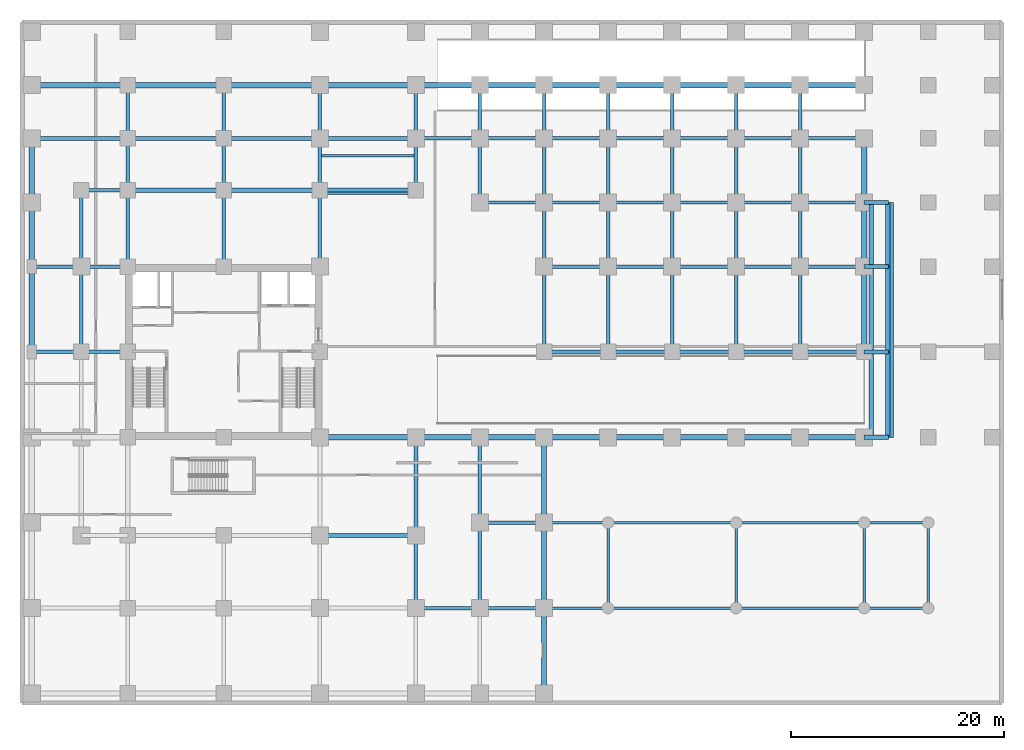
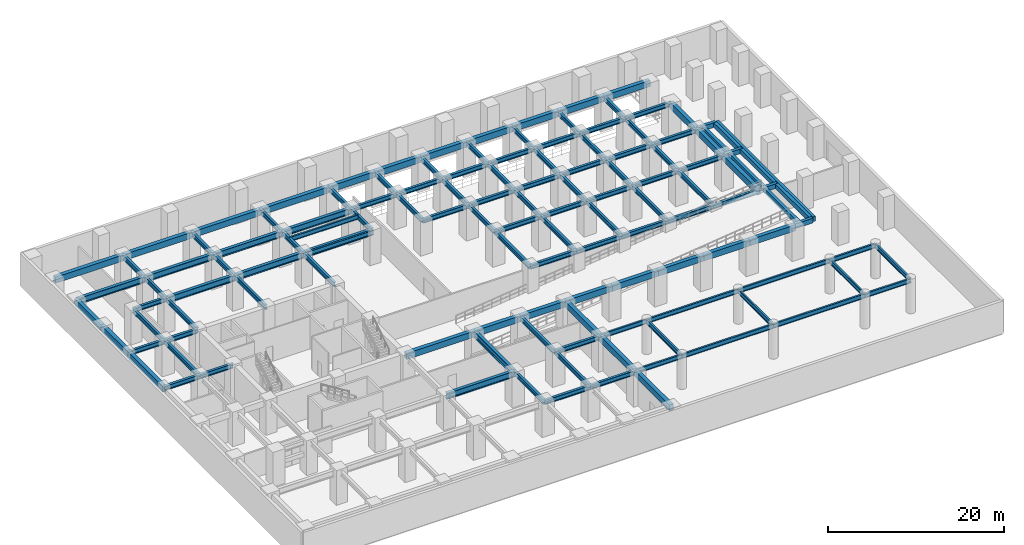
# One storey, part 2 of 9: 131 beams.
"""IFC4 building model written with IfcOpenShell, lengths in metres."""

from ifc_helpers import new_model, si_unit, direction, frame, origin, origin_2d, place, context, subcontext, project, spatial, rectangle, i_section, extrude, source, transform, mapped, material, material_profile, profile_set, type_object, element, save


model = new_model("IFC4")

# Units and contexts
model_context = context("Model", 3, precision=1e-05, world=origin(), true_north=direction((0.0, 1.0)))
body_context = subcontext(model_context, "Body", "Model", "MODEL_VIEW")
ifc_project = project(units=[si_unit("LENGTHUNIT", "METRE"), si_unit("AREAUNIT", "SQUARE_METRE"), si_unit("VOLUMEUNIT", "CUBIC_METRE"), si_unit("PLANEANGLEUNIT", "RADIAN"), si_unit("MASSUNIT", "GRAM", prefix="KILO")], contexts=[model_context])

# Site, building, storey
site_placement = place(None, origin())
site = spatial("IfcSite", under=ifc_project, at=site_placement, CompositionType="ELEMENT")
building_placement = place(site_placement, origin())
building = spatial("IfcBuilding", under=site, at=building_placement, Name="Torre Montelarca", CompositionType="ELEMENT")
storey_placement = place(building_placement, frame((0.0, 0.0, -4.800048828125)))
storey = spatial("IfcBuildingStorey", under=building, at=storey_placement, Name="B1", CompositionType="ELEMENT", Elevation=-4.800048828125)

# Beams
ifc_material_1 = material(Name="Concrete C55/67", Category="concrete")
ifc_material_profile_1 = material_profile(ifc_material_1, rectangle(XDim=0.5, YDim=0.85009765625, at=origin_2d()), Name="RCB500X850", Category="concrete")
ifc_profile_set_1 = profile_set([ifc_material_profile_1], Name="Concrete C55/67")
beam_type_1 = type_object("IfcBeamType", Name="BM-SP-RC850-EXT", PredefinedType="SPANDREL", material=ifc_profile_set_1)
shared_shape_1 = source(origin(), body_context, "Body", "SweptSolid", [
    extrude(rectangle(XDim=0.5, YDim=0.85009765625, at=origin_2d()), origin(), (0.0, 0.0, 1.0), 9.0),
])
for number, where, z_axis, x_axis, name in (
    (1, (27.0, 24.0, 4.094970703125), (1.0, 0.0, 0.0), (0.0, 1.0, 0.0), "B1 Grid Girder X 27.0-36.0 at Y=24.0"),
    (2, (0.0, 57.0, 4.094970703125), (1.0, 0.0, 0.0), (0.0, 1.0, 0.0), "B1 Grid Girder X 0.0-9.0 at Y=57.0"),
    (3, (9.0, 57.0, 4.094970703125), (1.0, 0.0, 0.0), (0.0, 1.0, 0.0), "B1 Grid Girder X 9.0-18.0 at Y=57.0"),
    (4, (18.0, 57.0, 4.094970703125), (1.0, 0.0, 0.0), (0.0, 1.0, 0.0), "B1 Grid Girder X 18.0-27.0 at Y=57.0"),
    (5, (27.0, 57.0, 4.094970703125), (1.0, 0.0, 0.0), (0.0, 1.0, 0.0), "B1 Grid Girder X 27.0-36.0 at Y=57.0"),
):
    element("IfcBeam", number, at=place(storey_placement, frame(where, z_axis=z_axis, x_axis=x_axis)), inside=storey, type_object=beam_type_1, Name=name, PredefinedType="SPANDREL", context=body_context, shape_type="MappedRepresentation", body=[
        mapped(shared_shape_1, transform((0.0, 0.0, 0.0), scale=1.0)),
    ])
shared_shape_2 = source(origin(), body_context, "Body", "SweptSolid", [
    extrude(rectangle(XDim=0.5, YDim=0.85009765625, at=origin_2d()), origin(), (0.0, 0.0, 1.0), 6.0),
])
for number, where, z_axis, x_axis, name in (
    (6, (36.0, 24.0, 4.094970703125), (1.0, 0.0, 0.0), (0.0, 1.0, 0.0), "B1 Grid Girder X 36.0-42.0 at Y=24.0"),
    (7, (42.0, 24.0, 4.094970703125), (1.0, 0.0, 0.0), (0.0, 1.0, 0.0), "B1 Grid Girder X 42.0-48.0 at Y=24.0"),
    (8, (48.0, 24.0, 4.094970703125), (1.0, 0.0, 0.0), (0.0, 1.0, 0.0), "B1 Grid Girder X 48.0-54.0 at Y=24.0"),
    (9, (54.0, 24.0, 4.094970703125), (1.0, 0.0, 0.0), (0.0, 1.0, 0.0), "B1 Grid Girder X 54.0-60.0 at Y=24.0"),
    (10, (60.0, 24.0, 4.094970703125), (1.0, 0.0, 0.0), (0.0, 1.0, 0.0), "B1 Grid Girder X 60.0-66.0 at Y=24.0"),
    (11, (66.0, 24.0, 4.094970703125), (1.0, 0.0, 0.0), (0.0, 1.0, 0.0), "B1 Grid Girder X 66.0-72.0 at Y=24.0"),
    (12, (72.0, 24.0, 4.094970703125), (1.0, 0.0, 0.0), (0.0, 1.0, 0.0), "B1 Grid Girder X 72.0-78.0 at Y=24.0"),
    (13, (36.0, 57.0, 4.094970703125), (1.0, 0.0, 0.0), (0.0, 1.0, 0.0), "B1 Grid Girder X 36.0-42.0 at Y=57.0"),
    (14, (42.0, 57.0, 4.094970703125), (1.0, 0.0, 0.0), (0.0, 1.0, 0.0), "B1 Grid Girder X 42.0-48.0 at Y=57.0"),
    (15, (48.0, 57.0, 4.094970703125), (1.0, 0.0, 0.0), (0.0, 1.0, 0.0), "B1 Grid Girder X 48.0-54.0 at Y=57.0"),
    (16, (54.0, 57.0, 4.094970703125), (1.0, 0.0, 0.0), (0.0, 1.0, 0.0), "B1 Grid Girder X 54.0-60.0 at Y=57.0"),
    (17, (60.0, 57.0, 4.094970703125), (1.0, 0.0, 0.0), (0.0, 1.0, 0.0), "B1 Grid Girder X 60.0-66.0 at Y=57.0"),
    (18, (66.0, 57.0, 4.094970703125), (1.0, 0.0, 0.0), (0.0, 1.0, 0.0), "B1 Grid Girder X 66.0-72.0 at Y=57.0"),
    (19, (72.0, 57.0, 4.094970703125), (1.0, 0.0, 0.0), (0.0, 1.0, 0.0), "B1 Grid Girder X 72.0-78.0 at Y=57.0"),
    (20, (0.0, 40.0, 4.094970703125), (0.0, 1.0, 0.0), (-1.0, 0.0, 0.0), "B1 Grid Girder Y 40.0-46.0 at X=0.0"),
    (21, (0.0, 46.0, 4.094970703125), (0.0, 1.0, 0.0), (-1.0, 0.0, 0.0), "B1 Grid Girder Y 46.0-52.0 at X=0.0"),
    (22, (78.0, 40.0, 4.094970703125), (0.0, 1.0, 0.0), (-1.0, 0.0, 0.0), "B1 Grid Girder Y 40.0-46.0 at X=78.0"),
    (23, (78.0, 46.0, 4.094970703125), (0.0, 1.0, 0.0), (-1.0, 0.0, 0.0), "B1 Grid Girder Y 46.0-52.0 at X=78.0"),
):
    element("IfcBeam", number, at=place(storey_placement, frame(where, z_axis=z_axis, x_axis=x_axis)), inside=storey, type_object=beam_type_1, Name=name, PredefinedType="SPANDREL", context=body_context, shape_type="MappedRepresentation", body=[
        mapped(shared_shape_2, transform((0.0, 0.0, 0.0), scale=1.0)),
    ])
ifc_material_2 = material(Name="Steel ASTM A992 Grade 50", Category="steel")
ifc_material_profile_2 = material_profile(ifc_material_2, i_section(OverallWidth=0.39990234375, OverallDepth=0.85498046875, WebThickness=0.018310546875, FlangeThickness=0.029296875, FilletRadius=0.02001953125, at=origin_2d()), Name="W840X299", Category="steel")
ifc_profile_set_2 = profile_set([ifc_material_profile_2], Name="Steel ASTM A992 Grade 50")
beam_type_2 = type_object("IfcBeamType", Name="BM-G-W840", PredefinedType="BEAM", material=ifc_profile_set_2)
shared_shape_3 = source(origin(), body_context, "Body", "SweptSolid", [
    extrude(i_section(OverallWidth=0.39990234375, OverallDepth=0.85498046875, WebThickness=0.018310546875, FlangeThickness=0.029296875, FilletRadius=0.02001953125, at=origin_2d()), origin(), (0.0, 0.0, 1.0), 9.0),
])
for number, where, z_axis, x_axis, name in (
    (24, (27.0, 14.800048828125, 4.092041015625), (1.0, 0.0, 0.0), (0.0, 1.0, 0.0), "B1 Grid Girder X 27.0-36.0 at Y=14.8"),
    (25, (9.0, 47.14990234375, 4.092041015625), (1.0, 0.0, 0.0), (0.0, 1.0, 0.0), "B1 Grid Girder X 9.0-18.0 at Y=47.1"),
    (26, (18.0, 47.14990234375, 4.092041015625), (1.0, 0.0, 0.0), (0.0, 1.0, 0.0), "B1 Grid Girder X 18.0-27.0 at Y=47.1"),
    (27, (27.0, 47.14990234375, 4.092041015625), (1.0, 0.0, 0.0), (0.0, 1.0, 0.0), "B1 Grid Girder X 27.0-36.0 at Y=47.1"),
    (28, (0.0, 52.0, 4.092041015625), (1.0, 0.0, 0.0), (0.0, 1.0, 0.0), "B1 Grid Girder X 0.0-9.0 at Y=52.0"),
    (29, (9.0, 52.0, 4.092041015625), (1.0, 0.0, 0.0), (0.0, 1.0, 0.0), "B1 Grid Girder X 9.0-18.0 at Y=52.0"),
    (30, (18.0, 52.0, 4.092041015625), (1.0, 0.0, 0.0), (0.0, 1.0, 0.0), "B1 Grid Girder X 18.0-27.0 at Y=52.0"),
    (31, (27.0, 52.0, 4.092041015625), (1.0, 0.0, 0.0), (0.0, 1.0, 0.0), "B1 Grid Girder X 27.0-36.0 at Y=52.0"),
):
    element("IfcBeam", number, at=place(storey_placement, frame(where, z_axis=z_axis, x_axis=x_axis)), inside=storey, type_object=beam_type_2, Name=name, PredefinedType="BEAM", context=body_context, shape_type="MappedRepresentation", body=[
        mapped(shared_shape_3, transform((0.0, 0.0, 0.0), scale=1.0)),
    ])
ifc_material_profile_3 = material_profile(ifc_material_2, i_section(OverallWidth=0.326904296875, OverallDepth=0.6220703125, WebThickness=0.015380859375, FlangeThickness=0.0244140625, FilletRadius=0.014892578125, at=origin_2d()), Name="W610X195", Category="steel")
ifc_profile_set_3 = profile_set([ifc_material_profile_3], Name="Steel ASTM A992 Grade 50")
beam_type_3 = type_object("IfcBeamType", Name="BM-G-W610H", PredefinedType="BEAM", material=ifc_profile_set_3)
shared_shape_4 = source(origin(), body_context, "Body", "SweptSolid", [
    extrude(i_section(OverallWidth=0.326904296875, OverallDepth=0.6220703125, WebThickness=0.015380859375, FlangeThickness=0.0244140625, FilletRadius=0.014892578125, at=origin_2d()), origin(), (0.0, 0.0, 1.0), 6.0),
])
for number, where, z_axis, x_axis, name in (
    (32, (36.0, 8.0, 4.208984375), (1.0, 0.0, 0.0), (0.0, 1.0, 0.0), "B1 Grid Girder X 36.0-42.0 at Y=8.0"),
    (33, (42.0, 8.0, 4.208984375), (1.0, 0.0, 0.0), (0.0, 1.0, 0.0), "B1 Grid Girder X 42.0-48.0 at Y=8.0"),
    (34, (42.0, 16.0, 4.208984375), (1.0, 0.0, 0.0), (0.0, 1.0, 0.0), "B1 Grid Girder X 42.0-48.0 at Y=16.0"),
    (35, (48.0, 32.0, 4.208984375), (1.0, 0.0, 0.0), (0.0, 1.0, 0.0), "B1 Grid Girder X 48.0-54.0 at Y=32.0"),
    (36, (54.0, 32.0, 4.208984375), (1.0, 0.0, 0.0), (0.0, 1.0, 0.0), "B1 Grid Girder X 54.0-60.0 at Y=32.0"),
    (37, (60.0, 32.0, 4.208984375), (1.0, 0.0, 0.0), (0.0, 1.0, 0.0), "B1 Grid Girder X 60.0-66.0 at Y=32.0"),
    (38, (66.0, 32.0, 4.208984375), (1.0, 0.0, 0.0), (0.0, 1.0, 0.0), "B1 Grid Girder X 66.0-72.0 at Y=32.0"),
    (39, (72.0, 32.0, 4.208984375), (1.0, 0.0, 0.0), (0.0, 1.0, 0.0), "B1 Grid Girder X 72.0-78.0 at Y=32.0"),
    (40, (48.0, 40.0, 4.208984375), (1.0, 0.0, 0.0), (0.0, 1.0, 0.0), "B1 Grid Girder X 48.0-54.0 at Y=40.0"),
    (41, (54.0, 40.0, 4.208984375), (1.0, 0.0, 0.0), (0.0, 1.0, 0.0), "B1 Grid Girder X 54.0-60.0 at Y=40.0"),
    (42, (60.0, 40.0, 4.208984375), (1.0, 0.0, 0.0), (0.0, 1.0, 0.0), "B1 Grid Girder X 60.0-66.0 at Y=40.0"),
    (43, (66.0, 40.0, 4.208984375), (1.0, 0.0, 0.0), (0.0, 1.0, 0.0), "B1 Grid Girder X 66.0-72.0 at Y=40.0"),
    (44, (72.0, 40.0, 4.208984375), (1.0, 0.0, 0.0), (0.0, 1.0, 0.0), "B1 Grid Girder X 72.0-78.0 at Y=40.0"),
    (45, (42.0, 46.0, 4.208984375), (1.0, 0.0, 0.0), (0.0, 1.0, 0.0), "B1 Grid Girder X 42.0-48.0 at Y=46.0"),
    (46, (48.0, 46.0, 4.208984375), (1.0, 0.0, 0.0), (0.0, 1.0, 0.0), "B1 Grid Girder X 48.0-54.0 at Y=46.0"),
    (47, (54.0, 46.0, 4.208984375), (1.0, 0.0, 0.0), (0.0, 1.0, 0.0), "B1 Grid Girder X 54.0-60.0 at Y=46.0"),
    (48, (60.0, 46.0, 4.208984375), (1.0, 0.0, 0.0), (0.0, 1.0, 0.0), "B1 Grid Girder X 60.0-66.0 at Y=46.0"),
    (49, (66.0, 46.0, 4.208984375), (1.0, 0.0, 0.0), (0.0, 1.0, 0.0), "B1 Grid Girder X 66.0-72.0 at Y=46.0"),
    (50, (72.0, 46.0, 4.208984375), (1.0, 0.0, 0.0), (0.0, 1.0, 0.0), "B1 Grid Girder X 72.0-78.0 at Y=46.0"),
    (51, (36.0, 52.0, 4.208984375), (1.0, 0.0, 0.0), (0.0, 1.0, 0.0), "B1 Grid Girder X 36.0-42.0 at Y=52.0"),
    (52, (42.0, 52.0, 4.208984375), (1.0, 0.0, 0.0), (0.0, 1.0, 0.0), "B1 Grid Girder X 42.0-48.0 at Y=52.0"),
    (53, (48.0, 52.0, 4.208984375), (1.0, 0.0, 0.0), (0.0, 1.0, 0.0), "B1 Grid Girder X 48.0-54.0 at Y=52.0"),
    (54, (54.0, 52.0, 4.208984375), (1.0, 0.0, 0.0), (0.0, 1.0, 0.0), "B1 Grid Girder X 54.0-60.0 at Y=52.0"),
    (55, (60.0, 52.0, 4.208984375), (1.0, 0.0, 0.0), (0.0, 1.0, 0.0), "B1 Grid Girder X 60.0-66.0 at Y=52.0"),
    (56, (66.0, 52.0, 4.208984375), (1.0, 0.0, 0.0), (0.0, 1.0, 0.0), "B1 Grid Girder X 66.0-72.0 at Y=52.0"),
    (57, (72.0, 52.0, 4.208984375), (1.0, 0.0, 0.0), (0.0, 1.0, 0.0), "B1 Grid Girder X 72.0-78.0 at Y=52.0"),
    (58, (42.0, 46.0, 4.208984375), (0.0, 1.0, 0.0), (-1.0, 0.0, 0.0), "B1 Grid Girder Y 46.0-52.0 at X=42.0"),
    (59, (48.0, 40.0, 4.208984375), (0.0, 1.0, 0.0), (-1.0, 0.0, 0.0), "B1 Grid Girder Y 40.0-46.0 at X=48.0"),
    (60, (48.0, 46.0, 4.208984375), (0.0, 1.0, 0.0), (-1.0, 0.0, 0.0), "B1 Grid Girder Y 46.0-52.0 at X=48.0"),
    (61, (54.0, 40.0, 4.208984375), (0.0, 1.0, 0.0), (-1.0, 0.0, 0.0), "B1 Grid Girder Y 40.0-46.0 at X=54.0"),
    (62, (54.0, 46.0, 4.208984375), (0.0, 1.0, 0.0), (-1.0, 0.0, 0.0), "B1 Grid Girder Y 46.0-52.0 at X=54.0"),
    (63, (60.0, 40.0, 4.208984375), (0.0, 1.0, 0.0), (-1.0, 0.0, 0.0), "B1 Grid Girder Y 40.0-46.0 at X=60.0"),
    (64, (60.0, 46.0, 4.208984375), (0.0, 1.0, 0.0), (-1.0, 0.0, 0.0), "B1 Grid Girder Y 46.0-52.0 at X=60.0"),
    (65, (66.0, 40.0, 4.208984375), (0.0, 1.0, 0.0), (-1.0, 0.0, 0.0), "B1 Grid Girder Y 40.0-46.0 at X=66.0"),
    (66, (66.0, 46.0, 4.208984375), (0.0, 1.0, 0.0), (-1.0, 0.0, 0.0), "B1 Grid Girder Y 46.0-52.0 at X=66.0"),
    (67, (72.0, 40.0, 4.208984375), (0.0, 1.0, 0.0), (-1.0, 0.0, 0.0), "B1 Grid Girder Y 40.0-46.0 at X=72.0"),
    (68, (72.0, 46.0, 4.208984375), (0.0, 1.0, 0.0), (-1.0, 0.0, 0.0), "B1 Grid Girder Y 46.0-52.0 at X=72.0"),
):
    element("IfcBeam", number, at=place(storey_placement, frame(where, z_axis=z_axis, x_axis=x_axis)), inside=storey, type_object=beam_type_3, Name=name, PredefinedType="BEAM", context=body_context, shape_type="MappedRepresentation", body=[
        mapped(shared_shape_4, transform((0.0, 0.0, 0.0), scale=1.0)),
    ])
ifc_material_profile_4 = material_profile(ifc_material_2, i_section(OverallWidth=0.22998046875, OverallDepth=0.616943359375, WebThickness=0.01318359375, FlangeThickness=0.022216796875, FilletRadius=0.014892578125, at=origin_2d()), Name="W610X140", Category="steel")
ifc_profile_set_4 = profile_set([ifc_material_profile_4], Name="Steel ASTM A992 Grade 50")
beam_type_4 = type_object("IfcBeamType", Name="BM-G-W610", PredefinedType="BEAM", material=ifc_profile_set_4)
shared_shape_5 = source(origin(), body_context, "Body", "SweptSolid", [
    extrude(i_section(OverallWidth=0.22998046875, OverallDepth=0.616943359375, WebThickness=0.01318359375, FlangeThickness=0.022216796875, FilletRadius=0.014892578125, at=origin_2d()), origin(), (0.0, 0.0, 1.0), 6.0),
])
for number, where, z_axis, x_axis, name in (
    (69, (48.0, 8.0, 4.27197265625), (1.0, 0.0, 0.0), (0.0, 1.0, 0.0), "B1 Grid Girder X 48.0-54.0 at Y=8.0"),
    (70, (78.0, 8.0, 4.27197265625), (1.0, 0.0, 0.0), (0.0, 1.0, 0.0), "B1 Grid Girder X 78.0-84.0 at Y=8.0"),
    (71, (48.0, 16.0, 4.27197265625), (1.0, 0.0, 0.0), (0.0, 1.0, 0.0), "B1 Grid Girder X 48.0-54.0 at Y=16.0"),
    (72, (78.0, 16.0, 4.27197265625), (1.0, 0.0, 0.0), (0.0, 1.0, 0.0), "B1 Grid Girder X 78.0-84.0 at Y=16.0"),
):
    element("IfcBeam", number, at=place(storey_placement, frame(where, z_axis=z_axis, x_axis=x_axis)), inside=storey, type_object=beam_type_4, Name=name, PredefinedType="BEAM", context=body_context, shape_type="MappedRepresentation", body=[
        mapped(shared_shape_5, transform((0.0, 0.0, 0.0), scale=1.0)),
    ])
shared_shape_6 = source(origin(), body_context, "Body", "SweptSolid", [
    extrude(i_section(OverallWidth=0.22998046875, OverallDepth=0.616943359375, WebThickness=0.01318359375, FlangeThickness=0.022216796875, FilletRadius=0.014892578125, at=origin_2d()), origin(), (0.0, 0.0, 1.0), 12.0),
])
for number, where, z_axis, x_axis, name in (
    (73, (54.0, 8.0, 4.27197265625), (1.0, 0.0, 0.0), (0.0, 1.0, 0.0), "B1 Grid Girder X 54.0-66.0 at Y=8.0"),
    (74, (66.0, 8.0, 4.27197265625), (1.0, 0.0, 0.0), (0.0, 1.0, 0.0), "B1 Grid Girder X 66.0-78.0 at Y=8.0"),
    (75, (54.0, 16.0, 4.27197265625), (1.0, 0.0, 0.0), (0.0, 1.0, 0.0), "B1 Grid Girder X 54.0-66.0 at Y=16.0"),
    (76, (66.0, 16.0, 4.27197265625), (1.0, 0.0, 0.0), (0.0, 1.0, 0.0), "B1 Grid Girder X 66.0-78.0 at Y=16.0"),
):
    element("IfcBeam", number, at=place(storey_placement, frame(where, z_axis=z_axis, x_axis=x_axis)), inside=storey, type_object=beam_type_4, Name=name, PredefinedType="BEAM", context=body_context, shape_type="MappedRepresentation", body=[
        mapped(shared_shape_6, transform((0.0, 0.0, 0.0), scale=1.0)),
    ])
shared_shape_7 = source(origin(), body_context, "Body", "SweptSolid", [
    extrude(i_section(OverallWidth=0.326904296875, OverallDepth=0.6220703125, WebThickness=0.015380859375, FlangeThickness=0.0244140625, FilletRadius=0.014892578125, at=origin_2d()), origin(), (0.0, 0.0, 1.0), 4.35009765625),
])
for number, where, z_axis, x_axis, name in (
    (77, (4.64990234375, 32.0, 4.208984375), (1.0, 0.0, 0.0), (0.0, 1.0, 0.0), "B1 Grid Girder X 4.7-9.0 at Y=32.0"),
    (78, (4.64990234375, 40.0, 4.208984375), (1.0, 0.0, 0.0), (0.0, 1.0, 0.0), "B1 Grid Girder X 4.7-9.0 at Y=40.0"),
    (79, (4.64990234375, 47.14990234375, 4.208984375), (1.0, 0.0, 0.0), (0.0, 1.0, 0.0), "B1 Grid Girder X 4.7-9.0 at Y=47.1"),
):
    element("IfcBeam", number, at=place(storey_placement, frame(where, z_axis=z_axis, x_axis=x_axis)), inside=storey, type_object=beam_type_3, Name=name, PredefinedType="BEAM", context=body_context, shape_type="MappedRepresentation", body=[
        mapped(shared_shape_7, transform((0.0, 0.0, 0.0), scale=1.0)),
    ])
shared_shape_8 = source(origin(), body_context, "Body", "SweptSolid", [
    extrude(i_section(OverallWidth=0.326904296875, OverallDepth=0.6220703125, WebThickness=0.015380859375, FlangeThickness=0.0244140625, FilletRadius=0.014892578125, at=origin_2d()), origin(), (0.0, 0.0, 1.0), 4.64990234375),
])
for number, where, z_axis, x_axis, name in (
    (80, (0.0, 32.0, 4.208984375), (1.0, 0.0, 0.0), (0.0, 1.0, 0.0), "B1 Grid Girder X 0.0-4.7 at Y=32.0"),
    (81, (0.0, 40.0, 4.208984375), (1.0, 0.0, 0.0), (0.0, 1.0, 0.0), "B1 Grid Girder X 0.0-4.7 at Y=40.0"),
):
    element("IfcBeam", number, at=place(storey_placement, frame(where, z_axis=z_axis, x_axis=x_axis)), inside=storey, type_object=beam_type_3, Name=name, PredefinedType="BEAM", context=body_context, shape_type="MappedRepresentation", body=[
        mapped(shared_shape_8, transform((0.0, 0.0, 0.0), scale=1.0)),
    ])
shared_shape_9 = source(origin(), body_context, "Body", "SweptSolid", [
    extrude(rectangle(XDim=0.5, YDim=0.85009765625, at=origin_2d()), origin(), (0.0, 0.0, 1.0), 8.0),
])
for number, where, z_axis, x_axis, name in (
    (82, (0.0, 32.0, 4.094970703125), (0.0, 1.0, 0.0), (-1.0, 0.0, 0.0), "B1 Grid Girder Y 32.0-40.0 at X=0.0"),
    (83, (48.0, 0.0, 4.094970703125), (0.0, 1.0, 0.0), (-1.0, 0.0, 0.0), "B1 Grid Girder Y 0.0-8.0 at X=48.0"),
    (84, (48.0, 8.0, 4.094970703125), (0.0, 1.0, 0.0), (-1.0, 0.0, 0.0), "B1 Grid Girder Y 8.0-16.0 at X=48.0"),
    (85, (48.0, 16.0, 4.094970703125), (0.0, 1.0, 0.0), (-1.0, 0.0, 0.0), "B1 Grid Girder Y 16.0-24.0 at X=48.0"),
    (86, (78.0, 32.0, 4.094970703125), (0.0, 1.0, 0.0), (-1.0, 0.0, 0.0), "B1 Grid Girder Y 32.0-40.0 at X=78.0"),
):
    element("IfcBeam", number, at=place(storey_placement, frame(where, z_axis=z_axis, x_axis=x_axis)), inside=storey, type_object=beam_type_1, Name=name, PredefinedType="SPANDREL", context=body_context, shape_type="MappedRepresentation", body=[
        mapped(shared_shape_9, transform((0.0, 0.0, 0.0), scale=1.0)),
    ])
shared_shape_10 = source(origin(), body_context, "Body", "SweptSolid", [
    extrude(i_section(OverallWidth=0.39990234375, OverallDepth=0.85498046875, WebThickness=0.018310546875, FlangeThickness=0.029296875, FilletRadius=0.02001953125, at=origin_2d()), origin(), (0.0, 0.0, 1.0), 9.199951171875),
])
beam_1_placement = place(storey_placement, frame((36.0, 14.800048828125, 4.092041015625), z_axis=(0.0, 1.0, 0.0), x_axis=(-1.0, 0.0, 0.0)))
element("IfcBeam", 87, at=beam_1_placement, inside=storey, type_object=beam_type_2, Name="B1 Grid Girder Y 14.8-24.0 at X=36.0", PredefinedType="BEAM", context=body_context, shape_type="MappedRepresentation", body=[
    mapped(shared_shape_10, transform((0.0, 0.0, 0.0), scale=1.0)),
])
shared_shape_11 = source(origin(), body_context, "Body", "SweptSolid", [
    extrude(i_section(OverallWidth=0.326904296875, OverallDepth=0.6220703125, WebThickness=0.015380859375, FlangeThickness=0.0244140625, FilletRadius=0.014892578125, at=origin_2d()), origin(), (0.0, 0.0, 1.0), 8.0),
])
for number, where, z_axis, x_axis, name in (
    (88, (4.64990234375, 32.0, 4.208984375), (0.0, 1.0, 0.0), (-1.0, 0.0, 0.0), "B1 Grid Girder Y 32.0-40.0 at X=4.7"),
    (89, (42.0, 8.0, 4.208984375), (0.0, 1.0, 0.0), (-1.0, 0.0, 0.0), "B1 Grid Girder Y 8.0-16.0 at X=42.0"),
    (90, (42.0, 16.0, 4.208984375), (0.0, 1.0, 0.0), (-1.0, 0.0, 0.0), "B1 Grid Girder Y 16.0-24.0 at X=42.0"),
    (91, (48.0, 32.0, 4.208984375), (0.0, 1.0, 0.0), (-1.0, 0.0, 0.0), "B1 Grid Girder Y 32.0-40.0 at X=48.0"),
    (92, (54.0, 32.0, 4.208984375), (0.0, 1.0, 0.0), (-1.0, 0.0, 0.0), "B1 Grid Girder Y 32.0-40.0 at X=54.0"),
    (93, (60.0, 32.0, 4.208984375), (0.0, 1.0, 0.0), (-1.0, 0.0, 0.0), "B1 Grid Girder Y 32.0-40.0 at X=60.0"),
    (94, (66.0, 32.0, 4.208984375), (0.0, 1.0, 0.0), (-1.0, 0.0, 0.0), "B1 Grid Girder Y 32.0-40.0 at X=66.0"),
    (95, (72.0, 32.0, 4.208984375), (0.0, 1.0, 0.0), (-1.0, 0.0, 0.0), "B1 Grid Girder Y 32.0-40.0 at X=72.0"),
):
    element("IfcBeam", number, at=place(storey_placement, frame(where, z_axis=z_axis, x_axis=x_axis)), inside=storey, type_object=beam_type_3, Name=name, PredefinedType="BEAM", context=body_context, shape_type="MappedRepresentation", body=[
        mapped(shared_shape_11, transform((0.0, 0.0, 0.0), scale=1.0)),
    ])
shared_shape_12 = source(origin(), body_context, "Body", "SweptSolid", [
    extrude(i_section(OverallWidth=0.326904296875, OverallDepth=0.6220703125, WebThickness=0.015380859375, FlangeThickness=0.0244140625, FilletRadius=0.014892578125, at=origin_2d()), origin(), (0.0, 0.0, 1.0), 7.14990234375),
])
for number, where, z_axis, x_axis, name in (
    (96, (4.64990234375, 40.0, 4.208984375), (0.0, 1.0, 0.0), (-1.0, 0.0, 0.0), "B1 Grid Girder Y 40.0-47.1 at X=4.7"),
    (97, (9.0, 40.0, 4.208984375), (0.0, 1.0, 0.0), (-1.0, 0.0, 0.0), "B1 Grid Girder Y 40.0-47.1 at X=9.0"),
    (98, (18.0, 40.0, 4.208984375), (0.0, 1.0, 0.0), (-1.0, 0.0, 0.0), "B1 Grid Girder Y 40.0-47.1 at X=18.0"),
    (99, (27.0, 40.0, 4.208984375), (0.0, 1.0, 0.0), (-1.0, 0.0, 0.0), "B1 Grid Girder Y 40.0-47.1 at X=27.0"),
):
    element("IfcBeam", number, at=place(storey_placement, frame(where, z_axis=z_axis, x_axis=x_axis)), inside=storey, type_object=beam_type_3, Name=name, PredefinedType="BEAM", context=body_context, shape_type="MappedRepresentation", body=[
        mapped(shared_shape_12, transform((0.0, 0.0, 0.0), scale=1.0)),
    ])
shared_shape_13 = source(origin(), body_context, "Body", "SweptSolid", [
    extrude(i_section(OverallWidth=0.326904296875, OverallDepth=0.6220703125, WebThickness=0.015380859375, FlangeThickness=0.0244140625, FilletRadius=0.014892578125, at=origin_2d()), origin(), (0.0, 0.0, 1.0), 6.800048828125),
])
beam_2_placement = place(storey_placement, frame((36.0, 8.0, 4.208984375), z_axis=(0.0, 1.0, 0.0), x_axis=(-1.0, 0.0, 0.0)))
element("IfcBeam", 100, at=beam_2_placement, inside=storey, type_object=beam_type_3, Name="B1 Grid Girder Y 8.0-14.8 at X=36.0", PredefinedType="BEAM", context=body_context, shape_type="MappedRepresentation", body=[
    mapped(shared_shape_13, transform((0.0, 0.0, 0.0), scale=1.0)),
])
shared_shape_14 = source(origin(), body_context, "Body", "SweptSolid", [
    extrude(i_section(OverallWidth=0.326904296875, OverallDepth=0.6220703125, WebThickness=0.015380859375, FlangeThickness=0.0244140625, FilletRadius=0.014892578125, at=origin_2d()), origin(), (0.0, 0.0, 1.0), 4.85009765625),
])
for number, where, z_axis, x_axis, name in (
    (101, (9.0, 47.14990234375, 4.208984375), (0.0, 1.0, 0.0), (-1.0, 0.0, 0.0), "B1 Grid Girder Y 47.1-52.0 at X=9.0"),
    (102, (18.0, 47.14990234375, 4.208984375), (0.0, 1.0, 0.0), (-1.0, 0.0, 0.0), "B1 Grid Girder Y 47.1-52.0 at X=18.0"),
    (103, (27.0, 47.14990234375, 4.208984375), (0.0, 1.0, 0.0), (-1.0, 0.0, 0.0), "B1 Grid Girder Y 47.1-52.0 at X=27.0"),
    (104, (36.0, 47.14990234375, 4.208984375), (0.0, 1.0, 0.0), (-1.0, 0.0, 0.0), "B1 Grid Girder Y 47.1-52.0 at X=36.0"),
):
    element("IfcBeam", number, at=place(storey_placement, frame(where, z_axis=z_axis, x_axis=x_axis)), inside=storey, type_object=beam_type_3, Name=name, PredefinedType="BEAM", context=body_context, shape_type="MappedRepresentation", body=[
        mapped(shared_shape_14, transform((0.0, 0.0, 0.0), scale=1.0)),
    ])
shared_shape_15 = source(origin(), body_context, "Body", "SweptSolid", [
    extrude(i_section(OverallWidth=0.326904296875, OverallDepth=0.6220703125, WebThickness=0.015380859375, FlangeThickness=0.0244140625, FilletRadius=0.014892578125, at=origin_2d()), origin(), (0.0, 0.0, 1.0), 5.0),
])
for number, where, z_axis, x_axis, name in (
    (105, (9.0, 52.0, 4.208984375), (0.0, 1.0, 0.0), (-1.0, 0.0, 0.0), "B1 Grid Girder Y 52.0-57.0 at X=9.0"),
    (106, (18.0, 52.0, 4.208984375), (0.0, 1.0, 0.0), (-1.0, 0.0, 0.0), "B1 Grid Girder Y 52.0-57.0 at X=18.0"),
    (107, (27.0, 52.0, 4.208984375), (0.0, 1.0, 0.0), (-1.0, 0.0, 0.0), "B1 Grid Girder Y 52.0-57.0 at X=27.0"),
    (108, (36.0, 52.0, 4.208984375), (0.0, 1.0, 0.0), (-1.0, 0.0, 0.0), "B1 Grid Girder Y 52.0-57.0 at X=36.0"),
    (109, (42.0, 52.0, 4.208984375), (0.0, 1.0, 0.0), (-1.0, 0.0, 0.0), "B1 Grid Girder Y 52.0-57.0 at X=42.0"),
    (110, (48.0, 52.0, 4.208984375), (0.0, 1.0, 0.0), (-1.0, 0.0, 0.0), "B1 Grid Girder Y 52.0-57.0 at X=48.0"),
    (111, (54.0, 52.0, 4.208984375), (0.0, 1.0, 0.0), (-1.0, 0.0, 0.0), "B1 Grid Girder Y 52.0-57.0 at X=54.0"),
    (112, (60.0, 52.0, 4.208984375), (0.0, 1.0, 0.0), (-1.0, 0.0, 0.0), "B1 Grid Girder Y 52.0-57.0 at X=60.0"),
    (113, (66.0, 52.0, 4.208984375), (0.0, 1.0, 0.0), (-1.0, 0.0, 0.0), "B1 Grid Girder Y 52.0-57.0 at X=66.0"),
    (114, (72.0, 52.0, 4.208984375), (0.0, 1.0, 0.0), (-1.0, 0.0, 0.0), "B1 Grid Girder Y 52.0-57.0 at X=72.0"),
):
    element("IfcBeam", number, at=place(storey_placement, frame(where, z_axis=z_axis, x_axis=x_axis)), inside=storey, type_object=beam_type_3, Name=name, PredefinedType="BEAM", context=body_context, shape_type="MappedRepresentation", body=[
        mapped(shared_shape_15, transform((0.0, 0.0, 0.0), scale=1.0)),
    ])
shared_shape_16 = source(origin(), body_context, "Body", "SweptSolid", [
    extrude(i_section(OverallWidth=0.22998046875, OverallDepth=0.616943359375, WebThickness=0.01318359375, FlangeThickness=0.022216796875, FilletRadius=0.014892578125, at=origin_2d()), origin(), (0.0, 0.0, 1.0), 8.0),
])
for number, where, z_axis, x_axis, name in (
    (115, (54.0, 8.0, 4.27197265625), (0.0, 1.0, 0.0), (-1.0, 0.0, 0.0), "B1 Grid Girder Y 8.0-16.0 at X=54.0"),
    (116, (66.0, 8.0, 4.27197265625), (0.0, 1.0, 0.0), (-1.0, 0.0, 0.0), "B1 Grid Girder Y 8.0-16.0 at X=66.0"),
    (117, (78.0, 8.0, 4.27197265625), (0.0, 1.0, 0.0), (-1.0, 0.0, 0.0), "B1 Grid Girder Y 8.0-16.0 at X=78.0"),
    (118, (84.0, 8.0, 4.27197265625), (0.0, 1.0, 0.0), (-1.0, 0.0, 0.0), "B1 Grid Girder Y 8.0-16.0 at X=84.0"),
):
    element("IfcBeam", number, at=place(storey_placement, frame(where, z_axis=z_axis, x_axis=x_axis)), inside=storey, type_object=beam_type_4, Name=name, PredefinedType="BEAM", context=body_context, shape_type="MappedRepresentation", body=[
        mapped(shared_shape_16, transform((0.0, 0.0, 0.0), scale=1.0)),
    ])
shared_shape_17 = source(origin(), body_context, "Body", "SweptSolid", [
    extrude(i_section(OverallWidth=0.22998046875, OverallDepth=0.616943359375, WebThickness=0.01318359375, FlangeThickness=0.022216796875, FilletRadius=0.014892578125, at=origin_2d()), origin(), (0.0, 0.0, 1.0), 9.0),
])
for number, where, z_axis, x_axis, name in (
    (119, (27.0, 46.8798828125, 4.211669921875), (1.0, 0.0, 0.0), (0.0, 1.0, 0.0), "B1 Feature Stair ST4 Support Trimmer Girder 1"),
    (120, (27.0, 50.3798828125, 4.211669921875), (1.0, 0.0, 0.0), (0.0, 1.0, 0.0), "B1 Feature Stair ST4 Support Trimmer Girder 2"),
):
    element("IfcBeam", number, at=place(storey_placement, frame(where, z_axis=z_axis, x_axis=x_axis)), inside=storey, type_object=beam_type_4, Name=name, PredefinedType="BEAM", context=body_context, shape_type="MappedRepresentation", body=[
        mapped(shared_shape_17, transform((0.0, 0.0, 0.0), scale=1.0)),
    ])
ifc_material_3 = material(Name="Concrete C40/50", Category="concrete")
ifc_material_profile_5 = material_profile(ifc_material_3, rectangle(XDim=0.39990234375, YDim=0.64990234375, at=origin_2d()), Name="RCB400X650", Category="concrete")
ifc_profile_set_5 = profile_set([ifc_material_profile_5], Name="Concrete C40/50")
beam_type_5 = type_object("IfcBeamType", Name="BM-SP-RC650", PredefinedType="SPANDREL", material=ifc_profile_set_5)
shared_shape_18 = source(origin(), body_context, "Body", "SweptSolid", [
    extrude(rectangle(XDim=0.39990234375, YDim=0.64990234375, at=origin_2d()), origin(), (0.0, 0.0, 1.0), 22.0),
])
beam_3_placement = place(storey_placement, frame((80.550048828125, 24.0, 4.255126953125), z_axis=(0.0, 1.0, 0.0), x_axis=(-1.0, 0.0, 0.0)))
element("IfcBeam", 121, at=beam_3_placement, inside=storey, type_object=beam_type_5, Name="B1 East Plaza Ramp Toe Edge Beam", PredefinedType="SPANDREL", context=body_context, shape_type="MappedRepresentation", body=[
    mapped(shared_shape_18, transform((0.0, 0.0, 0.0), scale=1.0)),
])
shared_shape_19 = source(origin(), body_context, "Body", "SweptSolid", [
    extrude(rectangle(XDim=0.39990234375, YDim=0.64990234375, at=origin_2d()), origin(), (0.0, 0.0, 1.0), 2.300048828125),
])
for number, where, z_axis, x_axis, name in (
    (122, (78.0, 24.0, 4.255126953125), (1.0, 0.0, 0.0), (0.0, 1.0, 0.0), "B1 Plaza Ramp Cantilever Tie Beam 1"),
    (123, (78.0, 32.0, 4.255126953125), (1.0, 0.0, 0.0), (0.0, 1.0, 0.0), "B1 Plaza Ramp Cantilever Tie Beam 2"),
    (124, (78.0, 40.0, 4.255126953125), (1.0, 0.0, 0.0), (0.0, 1.0, 0.0), "B1 Plaza Ramp Cantilever Tie Beam 3"),
    (125, (78.0, 46.0, 4.255126953125), (1.0, 0.0, 0.0), (0.0, 1.0, 0.0), "B1 Plaza Ramp Cantilever Tie Beam 4"),
):
    element("IfcBeam", number, at=place(storey_placement, frame(where, z_axis=z_axis, x_axis=x_axis)), inside=storey, type_object=beam_type_5, Name=name, PredefinedType="SPANDREL", context=body_context, shape_type="MappedRepresentation", body=[
        mapped(shared_shape_19, transform((0.0, 0.0, 0.0), scale=1.0)),
    ])
shared_shape_20 = source(origin(), body_context, "Body", "SweptSolid", [
    extrude(rectangle(XDim=0.39990234375, YDim=0.64990234375, at=origin_2d()), origin(), (0.0, 0.0, 1.0), 8.0),
])
for number, where, z_axis, x_axis, name in (
    (126, (78.659912109375, 24.0, 4.255126953125), (0.0, 1.0, 0.0), (-1.0, 0.0, 0.0), "B1 Plaza Pedestrian Ramp Grade Support Beam IN-1"),
    (127, (78.659912109375, 32.0, 4.255126953125), (0.0, 1.0, 0.0), (-1.0, 0.0, 0.0), "B1 Plaza Pedestrian Ramp Grade Support Beam IN-2"),
    (128, (80.199951171875, 24.0, 4.255126953125), (0.0, 1.0, 0.0), (-1.0, 0.0, 0.0), "B1 Plaza Pedestrian Ramp Grade Support Beam OUT-1"),
    (129, (80.199951171875, 32.0, 4.255126953125), (0.0, 1.0, 0.0), (-1.0, 0.0, 0.0), "B1 Plaza Pedestrian Ramp Grade Support Beam OUT-2"),
):
    element("IfcBeam", number, at=place(storey_placement, frame(where, z_axis=z_axis, x_axis=x_axis)), inside=storey, type_object=beam_type_5, Name=name, PredefinedType="SPANDREL", context=body_context, shape_type="MappedRepresentation", body=[
        mapped(shared_shape_20, transform((0.0, 0.0, 0.0), scale=1.0)),
    ])
shared_shape_21 = source(origin(), body_context, "Body", "SweptSolid", [
    extrude(rectangle(XDim=0.39990234375, YDim=0.64990234375, at=origin_2d()), origin(), (0.0, 0.0, 1.0), 6.0),
])
for number, where, z_axis, x_axis, name in (
    (130, (78.659912109375, 40.0, 4.255126953125), (0.0, 1.0, 0.0), (-1.0, 0.0, 0.0), "B1 Plaza Pedestrian Ramp Grade Support Beam IN-3"),
    (131, (80.199951171875, 40.0, 4.255126953125), (0.0, 1.0, 0.0), (-1.0, 0.0, 0.0), "B1 Plaza Pedestrian Ramp Grade Support Beam OUT-3"),
):
    element("IfcBeam", number, at=place(storey_placement, frame(where, z_axis=z_axis, x_axis=x_axis)), inside=storey, type_object=beam_type_5, Name=name, PredefinedType="SPANDREL", context=body_context, shape_type="MappedRepresentation", body=[
        mapped(shared_shape_21, transform((0.0, 0.0, 0.0), scale=1.0)),
    ])

save(model, "model.ifc")
